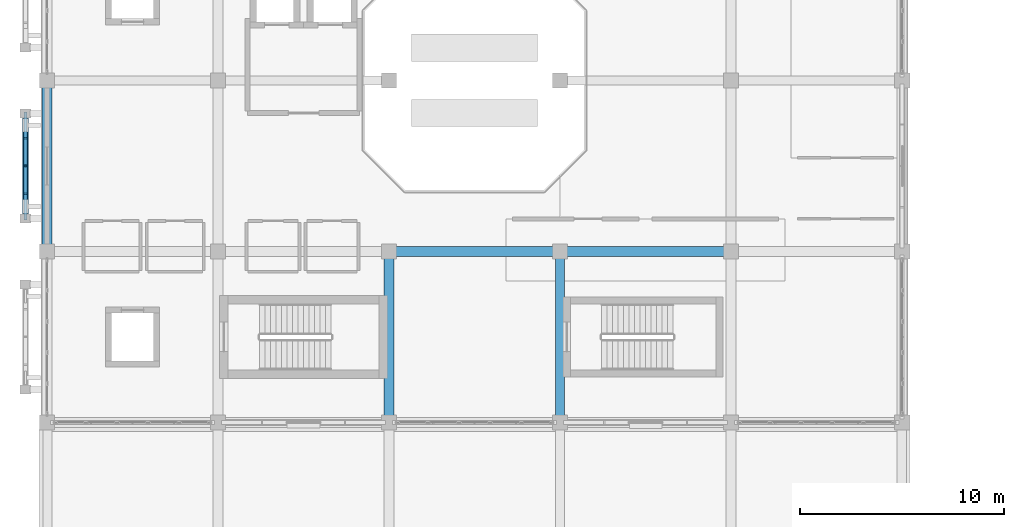
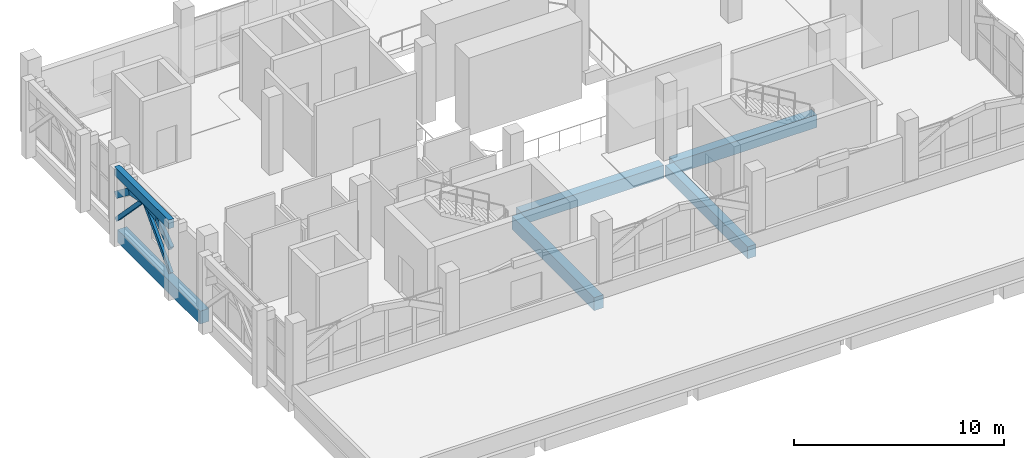
# One storey, part 7 of 30: 6 beams, 6 members.
"""IFC4 building model written with IfcOpenShell, lengths in metres."""

from ifc_helpers import new_model, si_unit, direction, frame, origin, origin_2d, place, context, subcontext, project, spatial, rectangle, extrude, material, material_profile, profile_set, type_object, element, save


model = new_model("IFC4")

# Units and contexts
model_context = context("Model", 3, precision=1e-05, world=origin(), true_north=direction((0.0, 1.0)))
body_context = subcontext(model_context, "Body", "Model", "MODEL_VIEW")
ifc_project = project(units=[si_unit("LENGTHUNIT", "METRE"), si_unit("AREAUNIT", "SQUARE_METRE"), si_unit("VOLUMEUNIT", "CUBIC_METRE"), si_unit("PLANEANGLEUNIT", "RADIAN"), si_unit("MASSUNIT", "GRAM", prefix="KILO")], contexts=[model_context])

# Site, building, storey
site_placement = place(None, origin())
site = spatial("IfcSite", under=ifc_project, at=site_placement, CompositionType="ELEMENT")
building_placement = place(site_placement, origin())
building = spatial("IfcBuilding", under=site, at=building_placement, Name="Xazarin Passage Department Store", CompositionType="ELEMENT")
storey_placement = place(building_placement, frame((0.0, 0.0, 23.39990234375)))
storey = spatial("IfcBuildingStorey", under=building, at=storey_placement, Name="L05", CompositionType="ELEMENT", Elevation=23.39990234375)

# Beams
ifc_material_1 = material(Name="Concrete C35/45", Category="concrete")
ifc_material_profile_1 = material_profile(ifc_material_1, rectangle(XDim=0.449951171875, YDim=0.699951171875, at=origin_2d()), Name="RC 450x700")
ifc_profile_set_1 = profile_set([ifc_material_profile_1], Name="Concrete C35/45")
beam_type_1 = type_object("IfcBeamType", Name="STR-BM-G450x700", PredefinedType="BEAM", material=ifc_profile_set_1)
beam_1_placement = place(storey_placement, frame((25.199951171875, 76.679931640625, -0.64990234375), z_axis=(0.0, 1.0, 0.0), x_axis=(-1.0, 0.0, 0.0)))
element("IfcBeam", 1, at=beam_1_placement, inside=storey, type_object=beam_type_1, Name="L05 Grid Beam 4/L-M", PredefinedType="BEAM", context=body_context, shape_type="SweptSolid", body=[
    extrude(rectangle(XDim=0.449951171875, YDim=0.699951171875, at=origin_2d()), origin(), (0.0, 0.0, 1.0), 7.840087890625),
])
ifc_material_profile_2 = material_profile(ifc_material_1, rectangle(XDim=0.300048828125, YDim=0.5, at=origin_2d()), Name="RC 300x500")
ifc_profile_set_2 = profile_set([ifc_material_profile_2], Name="Concrete C35/45")
beam_type_2 = type_object("IfcBeamType", Name="STR-BM-LN300x500", PredefinedType="LINTEL", material=ifc_profile_set_2)
beam_2_placement = place(storey_placement, frame((-1.050048828125, 86.419921875, 4.25), z_axis=(0.0, 1.0, 0.0), x_axis=(-1.0, 0.0, 0.0)))
element("IfcBeam", 2, at=beam_2_placement, inside=storey, type_object=beam_type_2, Name="L05 V1 Colonnade Spandrel Beam 012", PredefinedType="LINTEL", context=body_context, shape_type="SweptSolid", body=[
    extrude(rectangle(XDim=0.300048828125, YDim=0.5, at=origin_2d()), origin(), (0.0, 0.0, 1.0), 5.16015625),
])
ifc_material_profile_3 = material_profile(ifc_material_1, rectangle(XDim=0.5, YDim=0.75, at=origin_2d()), Name="RC 500x750")
ifc_profile_set_3 = profile_set([ifc_material_profile_3], Name="Concrete C35/45")
beam_type_3 = type_object("IfcBeamType", Name="STR-BM-SP500x750", PredefinedType="SPANDREL", material=ifc_profile_set_3)
beam_3_placement = place(storey_placement, frame((17.080078125, 84.800048828125, -0.6748046875), z_axis=(1.0, 0.0, 0.0), x_axis=(0.0, 1.0, 0.0)))
element("IfcBeam", 3, at=beam_3_placement, inside=storey, type_object=beam_type_3, Name="L05 Grid Beam M/3-4", PredefinedType="SPANDREL", context=body_context, shape_type="SweptSolid", body=[
    extrude(rectangle(XDim=0.5, YDim=0.75, at=origin_2d()), origin(), (0.0, 0.0, 1.0), 7.83984375),
])
beam_4_placement = place(storey_placement, frame((25.47998046875, 84.800048828125, -0.6748046875), z_axis=(1.0, 0.0, 0.0), x_axis=(0.0, 1.0, 0.0)))
element("IfcBeam", 4, at=beam_4_placement, inside=storey, type_object=beam_type_3, Name="L05 Grid Beam M/4-5", PredefinedType="SPANDREL", context=body_context, shape_type="SweptSolid", body=[
    extrude(rectangle(XDim=0.5, YDim=0.75, at=origin_2d()), origin(), (0.0, 0.0, 1.0), 7.840087890625),
])
beam_5_placement = place(storey_placement, frame((0.0, 85.080078125, -0.6748046875), z_axis=(0.0, 1.0, 0.0), x_axis=(-1.0, 0.0, 0.0)))
element("IfcBeam", 5, at=beam_5_placement, inside=storey, type_object=beam_type_3, Name="L05 Grid Beam 1/M-N", PredefinedType="SPANDREL", context=body_context, shape_type="SweptSolid", body=[
    extrude(rectangle(XDim=0.5, YDim=0.75, at=origin_2d()), origin(), (0.0, 0.0, 1.0), 7.83984375),
])
beam_6_placement = place(storey_placement, frame((16.800048828125, 76.679931640625, -0.6748046875), z_axis=(0.0, 1.0, 0.0), x_axis=(-1.0, 0.0, 0.0)))
element("IfcBeam", 6, at=beam_6_placement, inside=storey, type_object=beam_type_3, Name="L05 Grid Beam 3/L-M", PredefinedType="SPANDREL", context=body_context, shape_type="SweptSolid", body=[
    extrude(rectangle(XDim=0.5, YDim=0.75, at=origin_2d()), origin(), (0.0, 0.0, 1.0), 7.840087890625),
])

# Members
ifc_material_2 = material(Name="Concrete C40/50", Category="concrete")
ifc_material_profile_4 = material_profile(ifc_material_2, rectangle(XDim=0.199951171875, YDim=0.360107421875, at=origin_2d()), Name="RC 200x360")
ifc_profile_set_4 = profile_set([ifc_material_profile_4], Name="Concrete C40/50")
member_type_1 = type_object("IfcMemberType", Name="STR-MEM-ARC360", PredefinedType="CHORD", material=ifc_profile_set_4)
member_1_placement = place(storey_placement, frame((-1.050048828125, 86.419921875, 2.830078125), z_axis=(0.0, 0.79440903847, 0.607383140692), x_axis=(-1.0, 0.0, 0.0)))
element("IfcMember", 7, at=member_1_placement, inside=storey, type_object=member_type_1, Name="L05 V1 Pierced Lattice Curved Arch 012.1", PredefinedType="CHORD", context=body_context, shape_type="SweptSolid", body=[
    extrude(rectangle(XDim=0.199951171875, YDim=0.360107421875, at=origin_2d()), origin(), (0.0, 0.0, 1.0), 1.623779296875),
])
for number, where, z_axis, x_axis, name in (
    (8, (-1.050048828125, 87.7099609375, 3.81640625), (0.0, 0.979744705887, 0.200250621188), (-1.0, 0.0, 0.0), "L05 V1 Pierced Lattice Curved Arch 012.2"),
    (9, (-1.050048828125, 89.0, 4.080078125), (0.0, 0.979744705887, -0.200250621188), (-1.0, 0.0, 0.0), "L05 V1 Pierced Lattice Curved Arch 012.3"),
):
    element("IfcMember", number, at=place(storey_placement, frame(where, z_axis=z_axis, x_axis=x_axis)), inside=storey, type_object=member_type_1, Name=name, PredefinedType="CHORD", context=body_context, shape_type="SweptSolid", body=[
        extrude(rectangle(XDim=0.199951171875, YDim=0.360107421875, at=origin_2d()), origin(), (0.0, 0.0, 1.0), 1.316650390625),
    ])
member_2_placement = place(storey_placement, frame((-1.050048828125, 90.2900390625, 3.81640625), z_axis=(0.0, 0.79440903847, -0.607383140692), x_axis=(-1.0, 0.0, 0.0)))
element("IfcMember", 10, at=member_2_placement, inside=storey, type_object=member_type_1, Name="L05 V1 Pierced Lattice Curved Arch 012.4", PredefinedType="CHORD", context=body_context, shape_type="SweptSolid", body=[
    extrude(rectangle(XDim=0.199951171875, YDim=0.360107421875, at=origin_2d()), origin(), (0.0, 0.0, 1.0), 1.623779296875),
])
ifc_material_profile_5 = material_profile(ifc_material_2, rectangle(XDim=0.159912109375, YDim=0.219970703125, at=origin_2d()), Name="RC 160x220")
ifc_profile_set_5 = profile_set([ifc_material_profile_5], Name="Concrete C40/50")
member_type_2 = type_object("IfcMemberType", Name="STR-MEM-TRC220", PredefinedType="CHORD", material=ifc_profile_set_5)
for number, where, z_axis, x_axis, name in (
    (11, (-1.050048828125, 89.0, 4.080078125), (0.0, -0.693558444435, -0.720400363793), (1.0, 0.0, 0.0), "L05 V1 Upper Lattice Tracery Arch 012L"),
    (12, (-1.050048828125, 89.0, 4.080078125), (0.0, 0.693558444435, -0.720400363793), (-1.0, 0.0, 0.0), "L05 V1 Upper Lattice Tracery Arch 012R"),
):
    element("IfcMember", number, at=place(storey_placement, frame(where, z_axis=z_axis, x_axis=x_axis)), inside=storey, type_object=member_type_2, Name=name, PredefinedType="CHORD", context=body_context, shape_type="SweptSolid", body=[
        extrude(rectangle(XDim=0.159912109375, YDim=0.219970703125, at=origin_2d()), origin(), (0.0, 0.0, 1.0), 3.719970703125),
    ])

save(model, "model.ifc")
